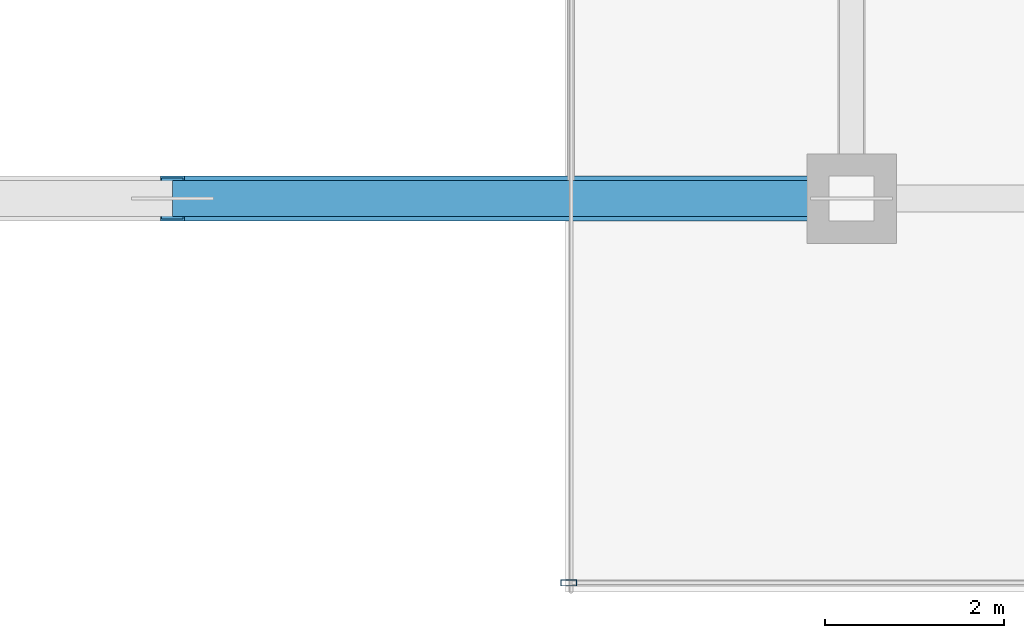
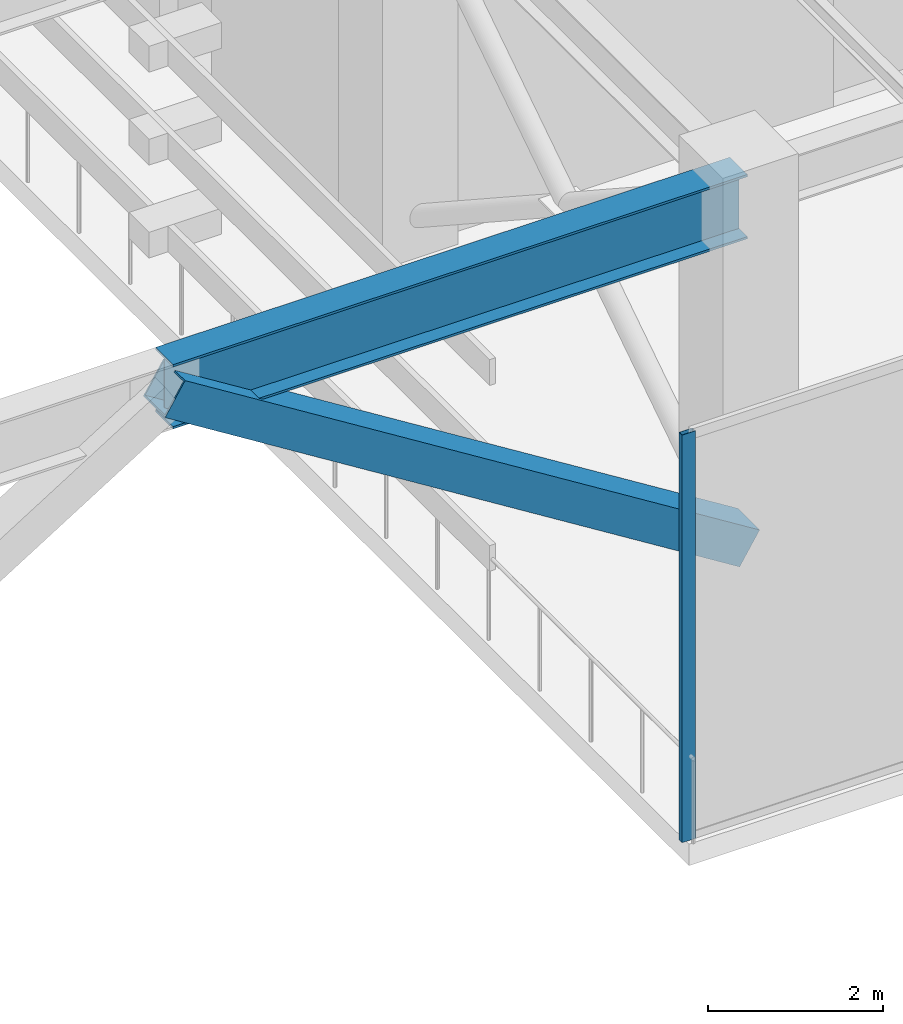
# One storey, part 8 of 30: 2 members, 1 beam, 1 element without a shape of its own.
"""IFC4 building model written with IfcOpenShell, lengths in metres."""

from ifc_helpers import new_model, si_unit, direction, frame, origin, origin_2d, place, context, subcontext, project, spatial, hollow_rectangle, i_section, extrude, source, transform, mapped, material, layer, layer_set, material_profile, profile_set, type_object, type_shapes, element, aggregate, save


model = new_model("IFC4")

# Units and contexts
model_context = context("Model", 3, precision=1e-05, world=origin(), true_north=direction((0.0, 1.0)))
body_context = subcontext(model_context, "Body", "Model", "MODEL_VIEW")
ifc_project = project(units=[si_unit("LENGTHUNIT", "METRE"), si_unit("AREAUNIT", "SQUARE_METRE"), si_unit("VOLUMEUNIT", "CUBIC_METRE"), si_unit("PLANEANGLEUNIT", "RADIAN"), si_unit("MASSUNIT", "GRAM", prefix="KILO")], contexts=[model_context])

# Site, building, storey
site_placement = place(None, origin())
site = spatial("IfcSite", under=ifc_project, at=site_placement, CompositionType="ELEMENT")
building_placement = place(site_placement, origin())
building = spatial("IfcBuilding", under=site, at=building_placement, Name="Haelvirn Gate Laboratories", CompositionType="ELEMENT")
storey_placement = place(building_placement, frame((0.0, 0.0, 291.60009765625)))
storey = spatial("IfcBuildingStorey", under=building, at=storey_placement, Name="L70", CompositionType="ELEMENT", Elevation=291.60009765625)

# Beam
ifc_material_1 = material(Name="Steel SM420", Category="steel")
ifc_material_profile_1 = material_profile(ifc_material_1, i_section(OverallWidth=0.39990234375, OverallDepth=0.89990234375, WebThickness=0.01904296875, FlangeThickness=0.031982421875, at=origin_2d()), Name="H-900x400x19x32")
ifc_profile_set_1 = profile_set([ifc_material_profile_1], Name="Steel SM420")
beam_type = type_object("IfcBeamType", Name="BM-TG-900", PredefinedType="BEAM", material=ifc_profile_set_1)
shared_shape_1 = source(origin(), body_context, "Body", "SweptSolid", [
    extrude(i_section(OverallWidth=0.39990234375, OverallDepth=0.89990234375, WebThickness=0.01904296875, FlangeThickness=0.031982421875, at=origin_2d()), origin(), (0.0, 0.0, 1.0), 7.60009765625),
])
type_shapes(beam_type, [shared_shape_1])
beam_placement = place(storey_placement, frame((45.0, 7.0, 5.25), z_axis=(1.0, 0.0, 0.0), x_axis=(0.0, 1.0, 0.0)))
element("IfcBeam", 1, at=beam_placement, inside=storey, type_object=beam_type, Name="L71 Arch Bridge Bottom Tie Chord Y7.0-4", PredefinedType="BEAM", context=body_context, shape_type="MappedRepresentation", body=[
    mapped(shared_shape_1, transform((0.0, 0.0, 0.0), scale=1.0)),
])

# Member
ifc_material_profile_2 = material_profile(ifc_material_1, hollow_rectangle(XDim=0.5, YDim=0.5, WallThickness=0.02197265625, at=origin_2d()), Name="BOX-500x500x22")
ifc_profile_set_2 = profile_set([ifc_material_profile_2], Name="Steel SM420")
member_type_1 = type_object("IfcMemberType", Name="MEM-ARCH-WEB", PredefinedType="BRACE", material=ifc_profile_set_2)
shared_shape_2 = source(origin(), body_context, "Body", "SweptSolid", [
    extrude(hollow_rectangle(XDim=0.5, YDim=0.5, WallThickness=0.02197265625, at=origin_2d()), origin(), (0.0, 0.0, 1.0), 8.96240234375),
])
type_shapes(member_type_1, [shared_shape_2])
member_1_placement = place(storey_placement, frame((45.0, 7.0, 5.25), z_axis=(0.848001364738, 0.0, -0.529994042799), x_axis=(0.0, 1.0, 0.0)))
element("IfcMember", 2, at=member_1_placement, inside=storey, type_object=member_type_1, Name="L70 Arch Bridge Sub-Truss Web Y7.0-4", PredefinedType="BRACE", context=body_context, shape_type="MappedRepresentation", body=[
    mapped(shared_shape_2, transform((0.0, 0.0, 0.0), scale=1.0)),
])

# Curtain wall, member
ifc_material_2 = material(Name="Anodised bronze unitised aluminium & triple low-E glass", Category="aluminium")
ifc_layer = layer(ifc_material_2, 0.176025390625, Name="CW-SYS-4")
ifc_layer_set = layer_set([ifc_layer], Name="Anodised bronze unitised aluminium & triple low-E glass")
curtain_wall_type = type_object("IfcCurtainWallType", Name="CW-SYS-4", PredefinedType="NOTDEFINED", material=ifc_layer_set)
curtain_wall_placement = place(storey_placement, origin())
curtain_wall = element("IfcCurtainWall", 3, at=curtain_wall_placement, inside=storey, type_object=curtain_wall_type, Name="L70 Unitised Curtain Wall CW-L70-P1-E00-1", PredefinedType="NOTDEFINED")
ifc_material_3 = material(Name="Extruded aluminium 6063-T6 (anodised bronze)", Category="aluminium")
ifc_material_profile_3 = material_profile(ifc_material_3, hollow_rectangle(XDim=0.070068359375, YDim=0.179931640625, WallThickness=0.0048828125, at=origin_2d()), Name="CWM-180x70x5")
ifc_profile_set_3 = profile_set([ifc_material_profile_3], Name="Extruded aluminium 6063-T6 (anodised bronze)")
member_type_2 = type_object("IfcMemberType", Name="CWM-T180", PredefinedType="MULLION", material=ifc_profile_set_3)
shared_shape_3 = source(origin(), body_context, "Body", "SweptSolid", [
    extrude(hollow_rectangle(XDim=0.070068359375, YDim=0.179931640625, WallThickness=0.0048828125, at=origin_2d()), origin(), (0.0, 0.0, 1.0), 5.699951171875),
])
type_shapes(member_type_2, [shared_shape_3])
member_2_placement = place(storey_placement, frame((49.43505859375, 2.699951171875, 0.0), z_axis=(0.0, 0.0, 1.0), x_axis=(0.0, 1.0, 0.0)))
member_2 = element("IfcMember", 4, at=member_2_placement, type_object=member_type_2, Name="CW4 mullion 1", PredefinedType="MULLION", context=body_context, shape_type="MappedRepresentation", body=[
    mapped(shared_shape_3, transform((0.0, 0.0, 0.0), scale=1.0)),
])
aggregate(curtain_wall, [member_2])

save(model, "model.ifc")
